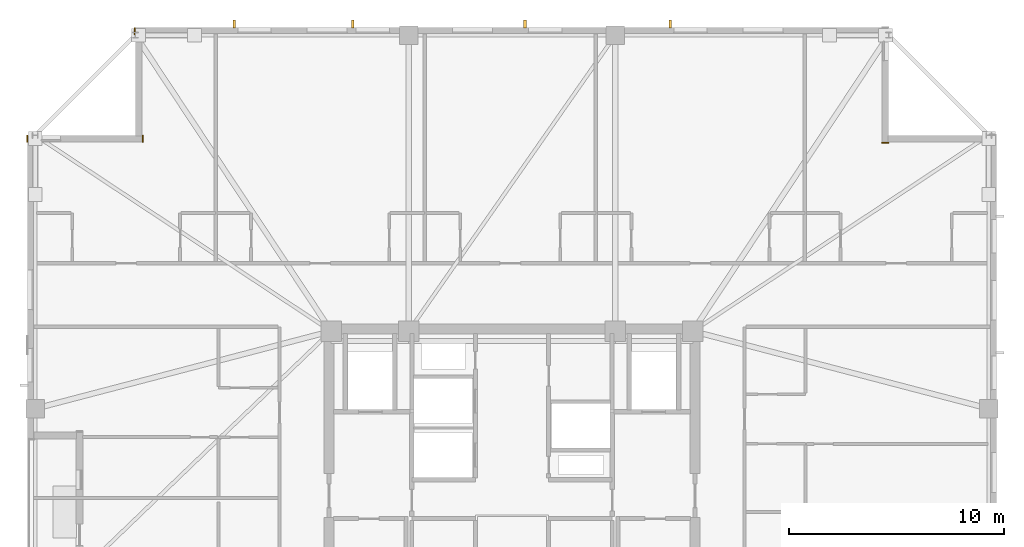
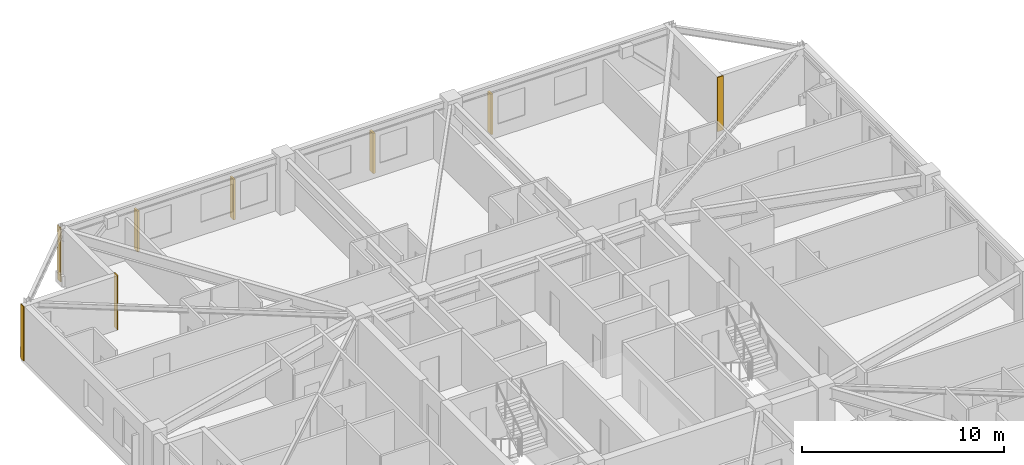
# One storey, part 16 of 17: 4 coverings, 4 shading devices.
"""IFC4 building model written with IfcOpenShell, lengths in metres."""

from ifc_helpers import new_model, si_unit, direction, frame, frame_2d, origin, origin_2d, place, context, subcontext, project, spatial, rectangle, extrude, material, layer, layer_set, type_object, element, save


model = new_model("IFC4")

# Units and contexts
model_context = context("Model", 3, precision=1e-05, world=origin(), true_north=direction((0.0, 1.0)))
body_context = subcontext(model_context, "Body", "Model", "MODEL_VIEW")
ifc_project = project(units=[si_unit("LENGTHUNIT", "METRE"), si_unit("AREAUNIT", "SQUARE_METRE"), si_unit("VOLUMEUNIT", "CUBIC_METRE"), si_unit("PLANEANGLEUNIT", "RADIAN"), si_unit("MASSUNIT", "GRAM", prefix="KILO")], contexts=[model_context])

# Site, building, storey
site_placement = place(None, origin())
site = spatial("IfcSite", under=ifc_project, at=site_placement, CompositionType="ELEMENT")
building_placement = place(site_placement, origin())
building = spatial("IfcBuilding", under=site, at=building_placement, Name="Cairnveth Concourse Tower", CompositionType="ELEMENT")
storey_placement = place(building_placement, frame((0.0, 0.0, 241.0)))
storey = spatial("IfcBuildingStorey", under=building, at=storey_placement, Name="L66", CompositionType="ELEMENT", Elevation=241.0)

# Coverings
ifc_material_1 = material(Name="Dressed Melbourne Bluestone Cladding", Category="masonry")
ifc_layer = layer(ifc_material_1, 0.050048828125)
ifc_layer_set = layer_set([ifc_layer], Name="Dressed Melbourne Bluestone Cladding")
covering_type = type_object("IfcCoveringType", Name="DRESSED BLUESTONE PLINTH CLADDING 50", PredefinedType="CLADDING", material=ifc_layer_set)
for number, where, z_axis, x_axis, name in (
    (1, (29.47998046875, 56.179931640625, 0.0), (0.0, 0.0, 1.0), (0.0, 1.0, 0.0), "Melbourne Bluestone Corner Quoin L66-992"),
    (2, (34.840087890625, 56.179931640625, 0.0), (0.0, 0.0, 1.0), (0.0, 1.0, 0.0), "Melbourne Bluestone Corner Quoin L66-993"),
    (3, (34.47998046875, 61.179931640625, 0.0), (0.0, 0.0, 1.0), (0.0, 1.0, 0.0), "Melbourne Bluestone Corner Quoin L66-994"),
    (4, (69.179931640625, 56.159912109375, 0.0), (0.0, 0.0, 1.0), (1.0, 0.0, 0.0), "Melbourne Bluestone Corner Quoin L66-996"),
):
    element("IfcCovering", number, at=place(storey_placement, frame(where, z_axis=z_axis, x_axis=x_axis)), inside=storey, type_object=covering_type, Name=name, PredefinedType="CLADDING", context=body_context, shape_type="SweptSolid", body=[
        extrude(rectangle(XDim=0.320068359375, YDim=0.050048828125, at=frame_2d((0.16015625, 0.0))), origin(), (0.0, 0.0, 1.0), 3.2900390625),
    ])

# Shading devices
ifc_material_2 = material(Name="Architectural Bronze Anodised Aluminium 6063-T6", Category="aluminium")
shading_device_type = type_object("IfcShadingDeviceType", Name="GOTHIC BRONZE VERTICAL LANCET FIN", PredefinedType="USERDEFINED", material=ifc_material_2)
for number, where, z_axis, x_axis, name in (
    (5, (39.1025390625, 61.675048828125, 0.030029296875), (0.0, 0.0, 1.0), (1.0, 0.0, 0.0), "Gothic Bronze Vertical Fin L66-3-1"),
    (6, (44.60302734375, 61.675048828125, 0.030029296875), (0.0, 0.0, 1.0), (1.0, 0.0, 0.0), "Gothic Bronze Vertical Fin L66-3-3"),
    (7, (52.603515625, 61.675048828125, 0.030029296875), (0.0, 0.0, 1.0), (1.0, 0.0, 0.0), "Gothic Bronze Vertical Fin L66-3-5"),
    (8, (59.35400390625, 61.675048828125, 0.030029296875), (0.0, 0.0, 1.0), (1.0, 0.0, 0.0), "Gothic Bronze Vertical Fin L66-3-7"),
):
    element("IfcShadingDevice", number, at=place(storey_placement, frame(where, z_axis=z_axis, x_axis=x_axis)), inside=storey, type_object=shading_device_type, Name=name, ObjectType="VERTICAL FIN", PredefinedType="USERDEFINED", context=body_context, shape_type="SweptSolid", body=[
        extrude(rectangle(XDim=0.1201171875, YDim=0.360107421875, at=origin_2d()), origin(), (0.0, 0.0, 1.0), 2.43798828125),
    ])

save(model, "model.ifc")
